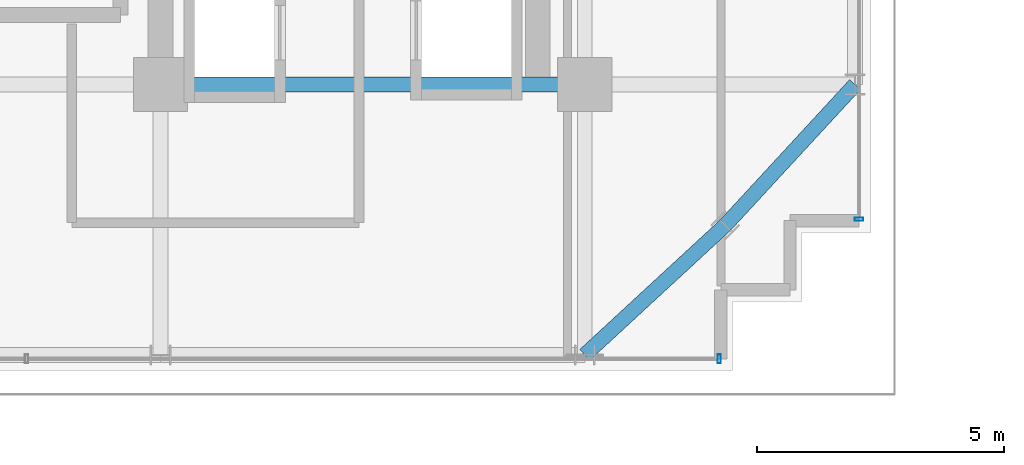
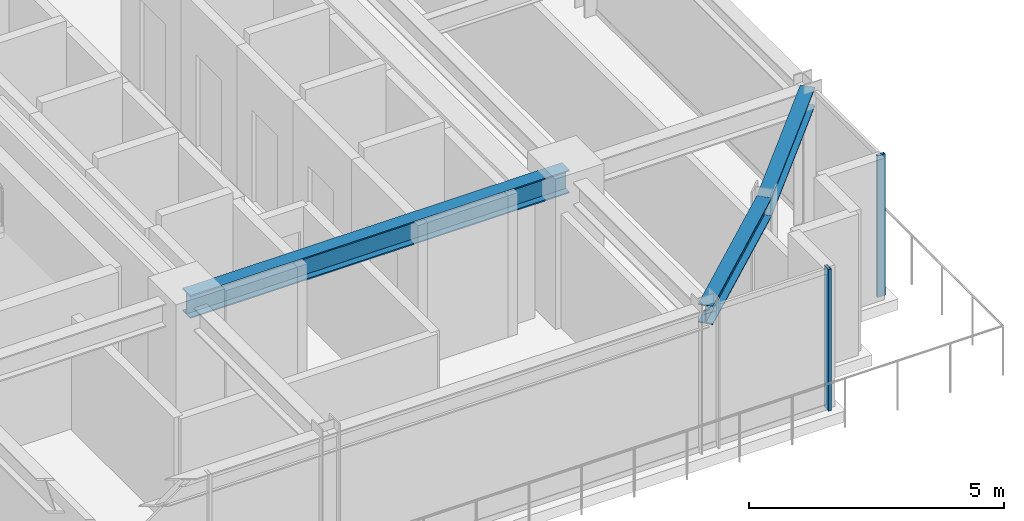
# One storey, part 9 of 33: 3 beams, 2 members, 2 elements without a shape of their own.
"""IFC4 building model written with IfcOpenShell, lengths in metres."""

import ifcopenshell
import ifcopenshell.guid

model = None  # the IFC model being written
_history = None  # IfcOwnerHistory: only IFC2X3 demands one
_inside = {}  # id of a spatial element -> (the spatial element, [elements in it])
_under = {}  # id of a project, library or spatial element -> (it, [spatial elements below it])
_declared = {}  # id of a project -> (the project, [libraries it declares])
_typed = {}  # id of a type object -> (the type object, [elements of that type])
_made_of = {}  # id of a material, layer set ... -> (it, [elements and type objects made of it])


def new_model(schema):
    """Start an empty IFC model of exactly this schema.

    Asked for "IFC4X3", IfcOpenShell would pick the latest addendum, in which some entities
    have other attributes; the version numbers below select the first issue.
    IFC2X3 requires an IfcOwnerHistory on every rooted entity: one is made here for all.
    """
    global model, _history
    if schema == "IFC4X3":
        model = ifcopenshell.file(schema_version=(4, 3, 0, 0))
    else:
        model = ifcopenshell.file(schema=schema)
    _inside.clear()
    _under.clear()
    _declared.clear()
    _typed.clear()
    _made_of.clear()
    _history = None
    if model.schema == "IFC2X3":
        org = make("IfcOrganization", Name="unknown")
        user = make(
            "IfcPersonAndOrganization",
            ThePerson=make("IfcPerson", FamilyName="unknown"),
            TheOrganization=org,
        )
        app = make(
            "IfcApplication",
            ApplicationDeveloper=org,
            Version="unknown",
            ApplicationFullName="unknown",
            ApplicationIdentifier="unknown",
        )
        _history = make(
            "IfcOwnerHistory",
            OwningUser=user,
            OwningApplication=app,
            ChangeAction="ADDED",
            CreationDate=0,
        )
    return model


def make(cls, **values):
    """One entity of the class cls with the attributes given. An attribute that is None is left unset."""
    return model.create_entity(
        cls, **{name: value for name, value in values.items() if value is not None}
    )


def rooted(cls, **values):
    """An entity with a GlobalId (a new one), such as an element, a storey or a relation."""
    return make(cls, GlobalId=ifcopenshell.guid.new(), OwnerHistory=_history, **values)


def si_unit(unit_type, name, prefix=None):
    """IfcSIUnit, for example si_unit("LENGTHUNIT", "METRE", prefix="MILLI")."""
    return make("IfcSIUnit", UnitType=unit_type, Prefix=prefix, Name=name)


def assignment(units):
    """IfcUnitAssignment: the units of a project."""
    return None if units is None else make("IfcUnitAssignment", Units=units)


def point(xyz):
    """IfcCartesianPoint."""
    return None if xyz is None else make("IfcCartesianPoint", Coordinates=xyz)


def direction(xyz):
    """IfcDirection."""
    return None if xyz is None else make("IfcDirection", DirectionRatios=xyz)


def frame(location, z_axis=None, x_axis=None):
    """IfcAxis2Placement3D, a coordinate frame: its origin and axes. An axis left out is left unset."""
    return make(
        "IfcAxis2Placement3D",
        Location=point(location),
        Axis=direction(z_axis),
        RefDirection=direction(x_axis),
    )


def frame_2d(location, x_axis=None):
    """IfcAxis2Placement2D, a coordinate frame in the plane: its origin and x axis."""
    return make(
        "IfcAxis2Placement2D", Location=point(location), RefDirection=direction(x_axis)
    )


def origin():
    """The frame at (0, 0, 0) with its axes left unset."""
    return frame((0.0, 0.0, 0.0))


def origin_2d():
    """The frame at (0, 0) in the plane with its x axis left unset."""
    return frame_2d((0.0, 0.0))


def place(relative_to, where):
    """IfcLocalPlacement: puts the frame where relative to a parent placement (None: the world)."""
    return make(
        "IfcLocalPlacement", PlacementRelTo=relative_to, RelativePlacement=where
    )


def context(
    kind, dimensions, precision=None, world=None, true_north=None, identifier=None
):
    """IfcGeometricRepresentationContext, for example the 3D "Model" context."""
    return make(
        "IfcGeometricRepresentationContext",
        ContextIdentifier=identifier,
        ContextType=kind,
        CoordinateSpaceDimension=dimensions,
        Precision=precision,
        WorldCoordinateSystem=world,
        TrueNorth=true_north,
    )


def subcontext(parent, identifier, kind, view, scale=None):
    """IfcGeometricRepresentationSubContext, for example "Body" below "Model"."""
    return make(
        "IfcGeometricRepresentationSubContext",
        ContextIdentifier=identifier,
        ContextType=kind,
        ParentContext=parent,
        TargetScale=scale,
        TargetView=view,
    )


def project(units=None, contexts=None):
    """IfcProject with its units and contexts."""
    return rooted(
        "IfcProject",
        Name="project",
        RepresentationContexts=contexts,
        UnitsInContext=assignment(units),
    )


def spatial(cls, under=None, at=None, **own):
    """A site, building, storey or space (cls), placed at a placement, below another one or the project."""
    s = rooted(cls, ObjectPlacement=at, **own)
    if under is not None:
        _under.setdefault(under.id(), (under, []))[1].append(s)
    return s


def profile(cls, at=None, kind="AREA", **sizes):
    """A parametric profile (cls). Its sizes go by their IFC names, for example OverallWidth=200.0."""
    return make(cls, ProfileType=kind, Position=at, **sizes)


def hollow_rectangle(**sizes):
    """IfcRectangleHollowProfileDef."""
    return profile("IfcRectangleHollowProfileDef", **sizes)


def i_section(**sizes):
    """IfcIShapeProfileDef."""
    return profile("IfcIShapeProfileDef", **sizes)


def extrude(swept, where, along, depth):
    """IfcExtrudedAreaSolid: the profile swept, set in the frame where, extruded along a direction by depth."""
    return make(
        "IfcExtrudedAreaSolid",
        SweptArea=swept,
        Position=where,
        ExtrudedDirection=direction(along),
        Depth=depth,
    )


def shape(context_of_items, identifier, shape_type, items):
    """IfcShapeRepresentation: the items that make up one representation, for example the "Body"."""
    return make(
        "IfcShapeRepresentation",
        ContextOfItems=context_of_items,
        RepresentationIdentifier=identifier,
        RepresentationType=shape_type,
        Items=items,
    )


def source(mapping_origin, context_of_items, identifier, shape_type, items):
    """IfcRepresentationMap: a shape defined once, which mapped items show again and again."""
    return make(
        "IfcRepresentationMap",
        MappingOrigin=mapping_origin,
        MappedRepresentation=shape(context_of_items, identifier, shape_type, items),
    )


def transform(
    local_origin,
    x_axis=None,
    y_axis=None,
    z_axis=None,
    scale=None,
    scale2=None,
    scale3=None,
    uniform=True,
):
    """IfcCartesianTransformationOperator3D, or its non-uniform kind. x_axis, y_axis, z_axis: its Axis1, 2, 3."""
    if uniform:
        return make(
            "IfcCartesianTransformationOperator3D",
            Axis1=direction(x_axis),
            Axis2=direction(y_axis),
            LocalOrigin=point(local_origin),
            Scale=scale,
            Axis3=direction(z_axis),
        )
    return make(
        "IfcCartesianTransformationOperator3DnonUniform",
        Axis1=direction(x_axis),
        Axis2=direction(y_axis),
        LocalOrigin=point(local_origin),
        Scale=scale,
        Axis3=direction(z_axis),
        Scale2=scale2,
        Scale3=scale3,
    )


def mapped(mapping_source, mapping_target):
    """IfcMappedItem: shows the shape of a source again, moved by a transform."""
    return make(
        "IfcMappedItem", MappingSource=mapping_source, MappingTarget=mapping_target
    )


def material(Name=None, Category=None):
    """IfcMaterial."""
    return make("IfcMaterial", Name=Name, Category=Category)


def material_profile(
    of_material, cross_section, Name=None, Category=None, Priority=None
):
    """IfcMaterialProfile: a cross section and its material."""
    return make(
        "IfcMaterialProfile",
        Name=Name,
        Material=of_material,
        Profile=cross_section,
        Priority=Priority,
        Category=Category,
    )


def profile_set(profiles, Name=None, composite=None):
    """IfcMaterialProfileSet."""
    return make(
        "IfcMaterialProfileSet",
        Name=Name,
        MaterialProfiles=profiles,
        CompositeProfile=composite,
    )


def made_of(thing, what):
    """Note that an element or type object is made of a material, layer set ...; save() writes the relation."""
    if what is not None:
        _made_of.setdefault(what.id(), (what, []))[1].append(thing)
    return thing


def type_object(cls, material=None, **own):
    """A type object (cls), such as IfcWallType, which elements share."""
    return made_of(rooted(cls, **own), material)


def element(
    cls,
    number,
    at=None,
    inside=None,
    cuts=None,
    type_object=None,
    material=None,
    context=None,
    identifier="Body",
    shape_type=None,
    held_by="IfcProductDefinitionShape",
    body=None,
    shapes=None,
    **own,
):
    """One element of the class cls, such as IfcWall. Its Tag is "e" and its number.

    at: its placement. inside: the storey or other place that contains it. cuts: it is an
    opening in that element (IfcRelVoidsElement). A single representation is given by context,
    identifier, shape_type and body (its items); several are given by shapes. held_by: the class
    of the entity that holds the representations. save() writes the other relations.
    """
    e = rooted(cls, Tag="e%d" % number, ObjectPlacement=at, **own)
    if body is not None:
        shapes = [shape(context, identifier, shape_type, body)]
    if shapes is not None:
        e.Representation = make(held_by, Representations=shapes)
    if inside is not None:
        _inside.setdefault(inside.id(), (inside, []))[1].append(e)
    if cuts is not None:
        rooted(
            "IfcRelVoidsElement", RelatingBuildingElement=cuts, RelatedOpeningElement=e
        )
    if type_object is not None:
        _typed.setdefault(type_object.id(), (type_object, []))[1].append(e)
    return made_of(e, material)


def aggregate(whole, parts):
    """IfcRelAggregates: a whole, such as a stair, and the parts it consists of."""
    return rooted("IfcRelAggregates", RelatingObject=whole, RelatedObjects=parts)


def save(model, path):
    """Write the relations noted so far, then the file.

    IfcRelAggregates (storeys below a building ...), IfcRelContainedInSpatialStructure (elements
    in a storey), IfcRelDefinesByType, IfcRelAssociatesMaterial and IfcRelDeclares: one each for
    every whole, place, type object, material and project.
    """
    for whole, parts in _under.values():
        aggregate(whole, parts)
    for where, things in _inside.values():
        rooted(
            "IfcRelContainedInSpatialStructure",
            RelatedElements=things,
            RelatingStructure=where,
        )
    for kind, things in _typed.values():
        rooted("IfcRelDefinesByType", RelatedObjects=things, RelatingType=kind)
    for what, things in _made_of.values():
        rooted("IfcRelAssociatesMaterial", RelatedObjects=things, RelatingMaterial=what)
    for by, libraries in _declared.values():
        rooted("IfcRelDeclares", RelatingContext=by, RelatedDefinitions=libraries)
    model.write(path)


model = new_model("IFC4")

# Units and contexts
model_context = context("Model", 3, precision=1e-05, world=origin(), true_north=direction((0.0, 1.0)))
body_context = subcontext(model_context, "Body", "Model", "MODEL_VIEW")
ifc_project = project(units=[si_unit("LENGTHUNIT", "METRE"), si_unit("AREAUNIT", "SQUARE_METRE"), si_unit("VOLUMEUNIT", "CUBIC_METRE"), si_unit("PLANEANGLEUNIT", "RADIAN"), si_unit("MASSUNIT", "GRAM", prefix="KILO")], contexts=[model_context])

# Site, building, storey
site_placement = place(None, origin())
site = spatial("IfcSite", under=ifc_project, at=site_placement, CompositionType="ELEMENT")
building_placement = place(site_placement, origin())
building = spatial("IfcBuilding", under=site, at=building_placement, Name="Nahalor Promenade Grand Hotel", CompositionType="ELEMENT")
storey_placement = place(building_placement, frame((0.0, 0.0, 149.0)))
storey = spatial("IfcBuildingStorey", under=building, at=storey_placement, Name="L37", CompositionType="ELEMENT", Elevation=149.0)

# Beams
ifc_material_1 = material(Name="Steel S355JR", Category="steel")
ifc_material_profile_1 = material_profile(ifc_material_1, i_section(OverallWidth=0.3, OverallDepth=0.55, WebThickness=0.015, FlangeThickness=0.029, at=origin_2d()), Name="HEB 550")
ifc_profile_set_1 = profile_set([ifc_material_profile_1], Name="Steel S355JR")
beam_type_1 = type_object("IfcBeamType", Name="Beam-Girder-HEB550", PredefinedType="BEAM", material=ifc_profile_set_1)
shared_shape_1 = source(origin(), body_context, "Body", "SweptSolid", [
    extrude(i_section(OverallWidth=0.3, OverallDepth=0.55, WebThickness=0.015, FlangeThickness=0.029, at=origin_2d()), origin(), (0.0, 0.0, 1.0), 8.60009765625),
])
beam_placement = place(storey_placement, frame((8.39990234375, -17.0, 3.114990234375), z_axis=(1.0, 0.0, 0.0), x_axis=(0.0, 1.0, 0.0)))
element("IfcBeam", 1, at=beam_placement, inside=storey, type_object=beam_type_1, Name="BM-L37-GX-0-5", PredefinedType="BEAM", context=body_context, shape_type="MappedRepresentation", body=[
    mapped(shared_shape_1, transform((0.0, 0.0, 0.0), scale=1.0)),
])
ifc_material_profile_2 = material_profile(ifc_material_1, i_section(OverallWidth=0.3, OverallDepth=0.45, WebThickness=0.014, FlangeThickness=0.026, at=origin_2d()), Name="HEB 450")
ifc_profile_set_2 = profile_set([ifc_material_profile_2], Name="Steel S355JR")
beam_type_2 = type_object("IfcBeamType", Name="Beam-Spandrel-HEB450", PredefinedType="SPANDREL", material=ifc_profile_set_2)
shared_shape_2 = source(origin(), body_context, "Body", "SweptSolid", [
    extrude(i_section(OverallWidth=0.3, OverallDepth=0.45, WebThickness=0.014, FlangeThickness=0.026, at=origin_2d()), origin(), (0.0, 0.0, 1.0), 3.878173828125),
])
for number, where, z_axis, x_axis, name in (
    (2, (17.0, -22.47998046875, 3.1650390625), (0.73492893846, 0.678144125843, 0.0), (-0.678144125843, 0.73492893846, 0.0), "BM-L37-SPC-SE-1"),
    (3, (19.85009765625, -19.85009765625, 3.1650390625), (0.678144125843, 0.73492893846, 0.0), (-0.73492893846, 0.678144125843, 0.0), "BM-L37-SPC-SE-2"),
):
    element("IfcBeam", number, at=place(storey_placement, frame(where, z_axis=z_axis, x_axis=x_axis)), inside=storey, type_object=beam_type_2, Name=name, PredefinedType="SPANDREL", context=body_context, shape_type="MappedRepresentation", body=[
        mapped(shared_shape_2, transform((0.0, 0.0, 0.0), scale=1.0)),
    ])

# Curtain wall, member
ifc_material_2 = material(Name="Anodised Bronze Aluminium EN AW-6063 T6", Category="aluminium")
curtain_wall_type = type_object("IfcCurtainWallType", Name="CW2 Typical Hotel Flush Bronze Unitised Curtain Wall", PredefinedType="USERDEFINED", material=ifc_material_2)
curtain_wall_1_placement = place(storey_placement, origin())
curtain_wall_1 = element("IfcCurtainWall", 4, at=curtain_wall_1_placement, inside=storey, type_object=curtain_wall_type, Name="L37 Curtain Wall CW-L37-S-3", ObjectType="UNITISED_CURTAIN_WALL", PredefinedType="USERDEFINED")
ifc_material_profile_3 = material_profile(ifc_material_2, hollow_rectangle(XDim=0.065, YDim=0.18, WallThickness=0.004, at=origin_2d()), Name="CWM 65x180x4")
ifc_profile_set_3 = profile_set([ifc_material_profile_3], Name="Anodised Bronze Aluminium EN AW-6063 T6")
member_type = type_object("IfcMemberType", Name="CWM2 Typical Bronze Mullion 65x180", PredefinedType="MULLION", material=ifc_profile_set_3)
shared_shape_3 = source(origin(), body_context, "Body", "SweptSolid", [
    extrude(hollow_rectangle(XDim=0.065, YDim=0.18, WallThickness=0.004, at=origin_2d()), origin(), (0.0, 0.0, 1.0), 3.389892578125),
])
member_1_placement = place(storey_placement, frame((19.7275390625, -22.56005859375, 0.0), z_axis=(0.0, 0.0, 1.0), x_axis=(1.0, 0.0, 0.0)))
member_1 = element("IfcMember", 5, at=member_1_placement, type_object=member_type, Name="CW-L37-S-3 Mullion 2", PredefinedType="MULLION", context=body_context, shape_type="MappedRepresentation", body=[
    mapped(shared_shape_3, transform((0.0, 0.0, 0.0), scale=1.0)),
])
aggregate(curtain_wall_1, [member_1])

curtain_wall_2_placement = place(storey_placement, origin())
curtain_wall_2 = element("IfcCurtainWall", 6, at=curtain_wall_2_placement, inside=storey, type_object=curtain_wall_type, Name="L37 Curtain Wall CW-L37-E-1", ObjectType="UNITISED_CURTAIN_WALL", PredefinedType="USERDEFINED")
member_2_placement = place(storey_placement, frame((22.56005859375, -19.7275390625, 0.0), z_axis=(0.0, 0.0, 1.0), x_axis=(0.0, 1.0, 0.0)))
member_2 = element("IfcMember", 7, at=member_2_placement, type_object=member_type, Name="CW-L37-E-1 Mullion 0", PredefinedType="MULLION", context=body_context, shape_type="MappedRepresentation", body=[
    mapped(shared_shape_3, transform((0.0, 0.0, 0.0), scale=1.0)),
])
aggregate(curtain_wall_2, [member_2])

save(model, "model.ifc")
